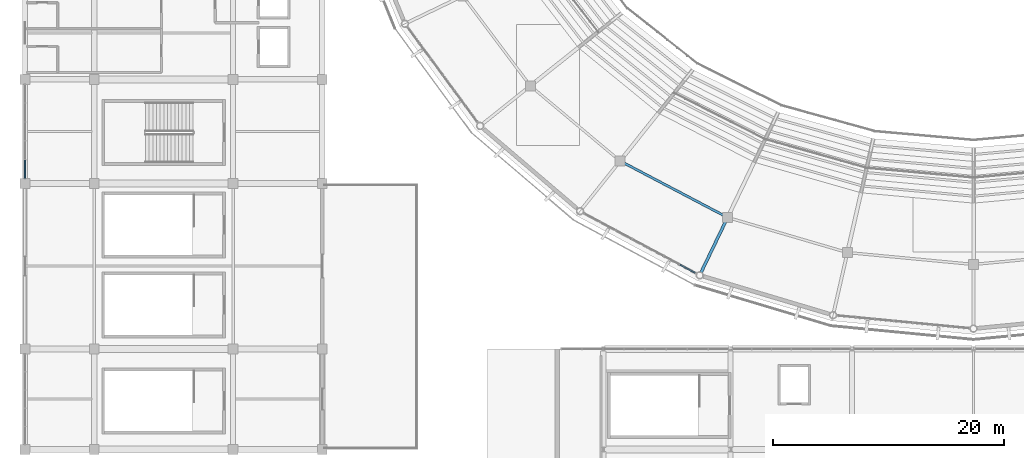
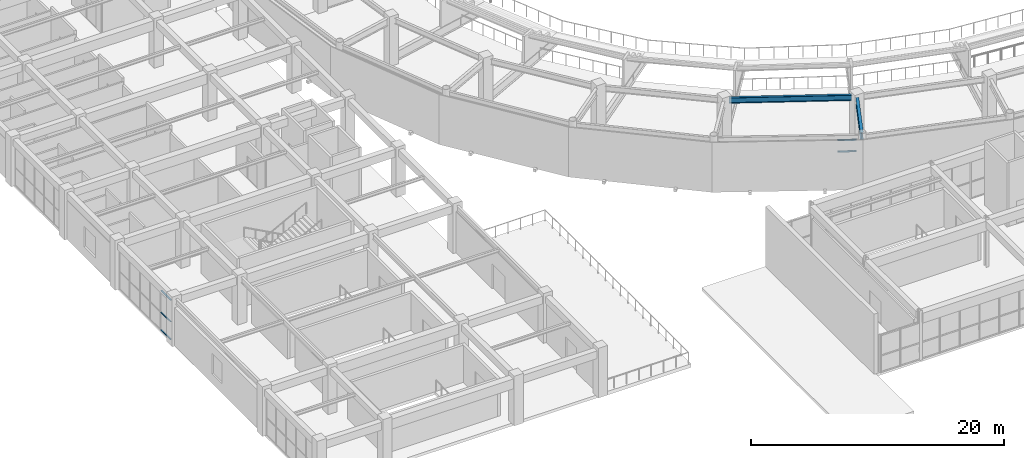
# One storey, part 24 of 122: 5 members, 2 beams, 2 elements without a shape of their own.
"""IFC4 building model written with IfcOpenShell, lengths in metres."""

from ifc_helpers import new_model, si_unit, direction, frame, origin, origin_2d, place, context, subcontext, project, spatial, rectangle, i_section, extrude, material, material_profile, profile_set, type_object, element, aggregate, save


model = new_model("IFC4")

# Units and contexts
model_context = context("Model", 3, precision=1e-05, world=origin(), true_north=direction((0.0, 1.0)))
body_context = subcontext(model_context, "Body", "Model", "MODEL_VIEW")
ifc_project = project(units=[si_unit("LENGTHUNIT", "METRE"), si_unit("AREAUNIT", "SQUARE_METRE"), si_unit("VOLUMEUNIT", "CUBIC_METRE"), si_unit("PLANEANGLEUNIT", "RADIAN"), si_unit("MASSUNIT", "GRAM", prefix="KILO")], contexts=[model_context])

# Site, building, storey
site_placement = place(None, origin())
site = spatial("IfcSite", under=ifc_project, at=site_placement, CompositionType="ELEMENT")
building_placement = place(site_placement, origin())
building = spatial("IfcBuilding", under=site, at=building_placement, Name="Cuetzalor Civic Arena", CompositionType="ELEMENT")
storey_placement = place(building_placement, frame((0.0, 0.0, 16.199951171875)))
storey = spatial("IfcBuildingStorey", under=building, at=storey_placement, Name="L03", CompositionType="ELEMENT", Elevation=16.199951171875)

# Curtain wall, members
ifc_material_1 = material(Name="Anodised dark bronze aluminium and low-E solar glass", Category="aluminium")
curtain_wall_type_1 = type_object("IfcCurtainWallType", Name="UnitisedCW_10950x4050", PredefinedType="USERDEFINED", material=ifc_material_1)
curtain_wall_1_placement = place(storey_placement, origin())
curtain_wall_1 = element("IfcCurtainWall", 1, at=curtain_wall_1_placement, inside=storey, type_object=curtain_wall_type_1, Name="Drum Triangle Foyer Curtain Wall L03-052", ObjectType="UNITISED CURTAIN WALL", PredefinedType="USERDEFINED")
ifc_material_2 = material(Name="Anodised dark bronze aluminium", Category="aluminium")
ifc_material_profile_1 = material_profile(ifc_material_2, rectangle(XDim=0.1201171875, YDim=0.06494140625, at=origin_2d()), Name="ALU TRANSOM 65x120")
ifc_profile_set_1 = profile_set([ifc_material_profile_1], Name="Anodised dark bronze aluminium")
member_type = type_object("IfcMemberType", Name="CurtainWallTransom_60x120", PredefinedType="USERDEFINED", material=ifc_profile_set_1)
member_1_placement = place(storey_placement, frame((-24.07373046875, -41.722900390625, 2.91796875), z_axis=(-0.881309117216, 0.472540199255, 0.0), x_axis=(-0.472540199255, -0.881309117216, 0.0)))
member_1 = element("IfcMember", 2, at=member_1_placement, type_object=member_type, Name="CW-13 transom 1.3", ObjectType="TRANSOM", PredefinedType="USERDEFINED", context=body_context, shape_type="SweptSolid", body=[
    extrude(rectangle(XDim=0.1201171875, YDim=0.06494140625, at=origin_2d()), origin(), (0.0, 0.0, 1.0), 1.46630859375),
])
member_2_placement = place(storey_placement, frame((-24.07373046875, -41.722900390625, 4.0205078125), z_axis=(-0.881309117216, 0.472540199255, 0.0), x_axis=(-0.472540199255, -0.881309117216, 0.0)))
member_2 = element("IfcMember", 3, at=member_2_placement, type_object=member_type, Name="CW-13 transom 1.4", ObjectType="TRANSOM", PredefinedType="USERDEFINED", context=body_context, shape_type="SweptSolid", body=[
    extrude(rectangle(XDim=0.1201171875, YDim=0.06494140625, at=origin_2d()), origin(), (0.0, 0.0, 1.0), 1.46630859375),
])
aggregate(curtain_wall_1, [member_1, member_2])

ifc_material_3 = material(Name="Anodised dark bronze aluminium and low-E solar glass", Category="aluminium")
curtain_wall_type_2 = type_object("IfcCurtainWallType", Name="UnitisedCW_8200x3850", PredefinedType="USERDEFINED", material=ifc_material_3)
curtain_wall_2_placement = place(storey_placement, origin())
curtain_wall_2 = element("IfcCurtainWall", 4, at=curtain_wall_2_placement, inside=storey, type_object=curtain_wall_type_2, Name="V4W Suite Viewing Curtain Wall L03-119", ObjectType="UNITISED CURTAIN WALL", PredefinedType="USERDEFINED")
member_3_placement = place(storey_placement, frame((-82.0, -33.528076171875, 0.032470703125), z_axis=(0.0, 1.0, 0.0), x_axis=(-1.0, 0.0, 0.0)))
member_3 = element("IfcMember", 5, at=member_3_placement, type_object=member_type, Name="CW-45 transom 1.1", ObjectType="TRANSOM", PredefinedType="USERDEFINED", context=body_context, shape_type="SweptSolid", body=[
    extrude(rectangle(XDim=0.1201171875, YDim=0.06494140625, at=origin_2d()), origin(), (0.0, 0.0, 1.0), 1.539794921875),
])
member_4_placement = place(storey_placement, frame((-82.0, -33.528076171875, 1.737060546875), z_axis=(0.0, 1.0, 0.0), x_axis=(-1.0, 0.0, 0.0)))
member_4 = element("IfcMember", 6, at=member_4_placement, type_object=member_type, Name="CW-45 transom 1.2", ObjectType="TRANSOM", PredefinedType="USERDEFINED", context=body_context, shape_type="SweptSolid", body=[
    extrude(rectangle(XDim=0.1201171875, YDim=0.06494140625, at=origin_2d()), origin(), (0.0, 0.0, 1.0), 1.539794921875),
])
member_5_placement = place(storey_placement, frame((-82.0, -33.528076171875, 3.82763671875), z_axis=(0.0, 1.0, 0.0), x_axis=(-1.0, 0.0, 0.0)))
member_5 = element("IfcMember", 7, at=member_5_placement, type_object=member_type, Name="CW-45 transom 1.3", ObjectType="TRANSOM", PredefinedType="USERDEFINED", context=body_context, shape_type="SweptSolid", body=[
    extrude(rectangle(XDim=0.1201171875, YDim=0.06494140625, at=origin_2d()), origin(), (0.0, 0.0, 1.0), 1.539794921875),
])
aggregate(curtain_wall_2, [member_3, member_4, member_5])

# Beams
ifc_material_4 = material(Name="Steel S355", Category="steel")
ifc_material_profile_2 = material_profile(ifc_material_4, i_section(OverallWidth=0.208984375, OverallDepth=0.532958984375, WebThickness=0.01025390625, FlangeThickness=0.015625, at=origin_2d()), Name="W530x92")
ifc_profile_set_2 = profile_set([ifc_material_profile_2], Name="Steel S355")
beam_type_1 = type_object("IfcBeamType", Name="SteelCollarGirder_W530", PredefinedType="BEAM", material=ifc_profile_set_2)
beam_1_placement = place(storey_placement, frame((-30.223388671875, -32.227294921875, 4.253662109375), z_axis=(0.885117354883, -0.465367884673, 0.0), x_axis=(0.465367884673, 0.885117354883, 0.0)))
element("IfcBeam", 8, at=beam_1_placement, inside=storey, type_object=beam_type_1, Name="Drum Concourse Ring Girder L03-S19", PredefinedType="BEAM", context=body_context, shape_type="SweptSolid", body=[
    extrude(i_section(OverallWidth=0.208984375, OverallDepth=0.532958984375, WebThickness=0.01025390625, FlangeThickness=0.015625, at=origin_2d()), origin(), (0.0, 0.0, 1.0), 9.75634765625),
])
ifc_material_5 = material(Name="Steel S355", Category="steel")
ifc_material_profile_3 = material_profile(ifc_material_5, i_section(OverallWidth=0.2529296875, OverallDepth=0.677978515625, WebThickness=0.01171875, FlangeThickness=0.016357421875, at=origin_2d()), Name="W690x125")
ifc_profile_set_3 = profile_set([ifc_material_profile_3], Name="Steel S355")
beam_type_2 = type_object("IfcBeamType", Name="SteelPrimaryGirder_W690", PredefinedType="BEAM", material=ifc_profile_set_3)
beam_2_placement = place(storey_placement, frame((-21.41650390625, -37.263916015625, 4.18115234375), z_axis=(-0.433871046232, -0.900974980364, 0.0), x_axis=(0.900974980364, -0.433871046232, 0.0)))
element("IfcBeam", 9, at=beam_2_placement, inside=storey, type_object=beam_type_2, Name="Drum Radial Girder L03-R20", PredefinedType="BEAM", context=body_context, shape_type="SweptSolid", body=[
    extrude(i_section(OverallWidth=0.2529296875, OverallDepth=0.677978515625, WebThickness=0.01171875, FlangeThickness=0.016357421875, at=origin_2d()), origin(), (0.0, 0.0, 1.0), 4.89990234375),
])

save(model, "model.ifc")
